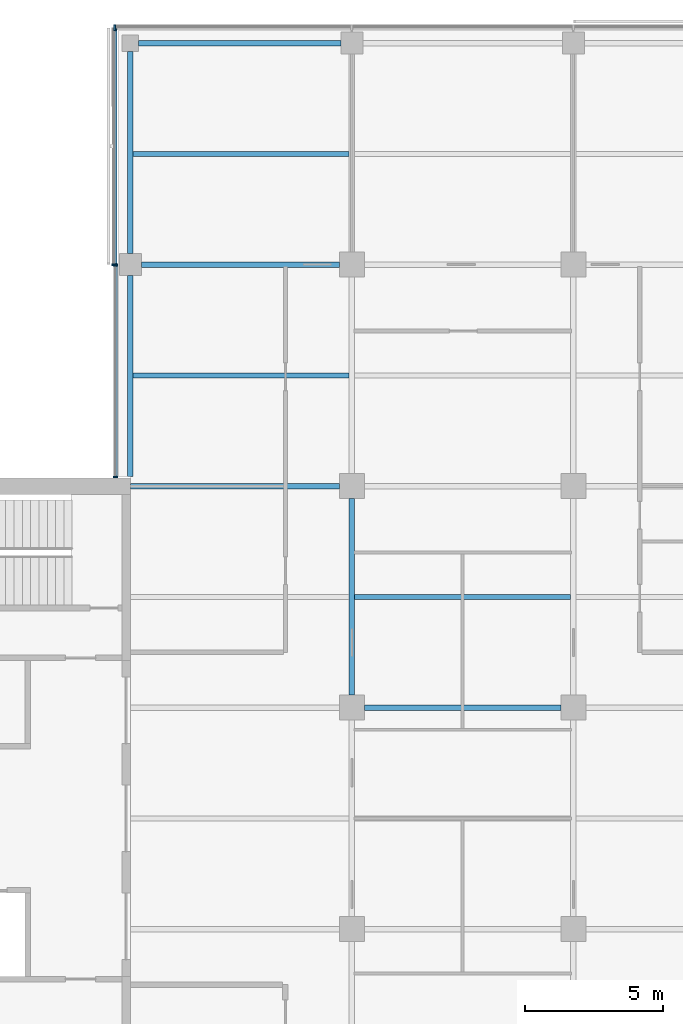
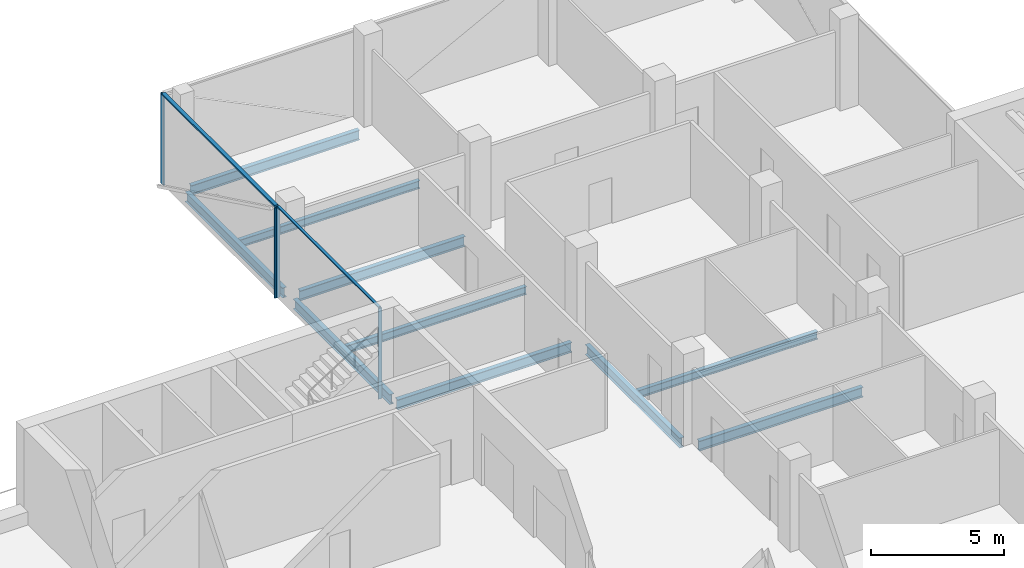
# One storey, part 7 of 18: 10 beams, 6 members, 3 elements without a shape of their own.
"""IFC4 building model written with IfcOpenShell, lengths in metres."""

from ifc_helpers import new_model, si_unit, direction, frame, origin, origin_2d, place, context, subcontext, project, spatial, rectangle, i_section, extrude, material, material_profile, profile_set, type_object, element, aggregate, save


model = new_model("IFC4")

# Units and contexts
model_context = context("Model", 3, precision=1e-05, world=origin(), true_north=direction((0.0, 1.0)))
body_context = subcontext(model_context, "Body", "Model", "MODEL_VIEW")
ifc_project = project(units=[si_unit("LENGTHUNIT", "METRE"), si_unit("AREAUNIT", "SQUARE_METRE"), si_unit("VOLUMEUNIT", "CUBIC_METRE"), si_unit("PLANEANGLEUNIT", "RADIAN"), si_unit("MASSUNIT", "GRAM", prefix="KILO")], contexts=[model_context])

# Site, building, storey
site_placement = place(None, origin())
site = spatial("IfcSite", under=ifc_project, at=site_placement, CompositionType="ELEMENT")
building_placement = place(site_placement, origin())
building = spatial("IfcBuilding", under=site, at=building_placement, Name="Crosswind Convention Tower", CompositionType="ELEMENT")
storey_placement = place(building_placement, frame((0.0, 0.0, 178.89990234375)))
storey = spatial("IfcBuildingStorey", under=building, at=storey_placement, Name="L37", CompositionType="ELEMENT", Elevation=178.89990234375)

# Beams
ifc_material_1 = material(Name="Steel S355", Category="steel")
ifc_material_profile_1 = material_profile(ifc_material_1, i_section(OverallWidth=0.18994140625, OverallDepth=0.45361328125, WebThickness=0.008544921875, FlangeThickness=0.0126953125, FilletRadius=0.01025390625, at=origin_2d()), Name="UB 457x191x67")
ifc_profile_set_1 = profile_set([ifc_material_profile_1], Name="Steel S355")
beam_type_1 = type_object("IfcBeamType", Name="Edge beam UB 457x191x67", PredefinedType="SPANDREL", material=ifc_profile_set_1)
beam_1_placement = place(storey_placement, frame((113.0, 112.35009765625, -0.526611328125), z_axis=(0.0, 1.0, 0.0), x_axis=(-1.0, 0.0, 0.0)))
element("IfcBeam", 1, at=beam_1_placement, inside=storey, type_object=beam_type_1, Name="B16 L37 edge beam 8", PredefinedType="SPANDREL", context=body_context, shape_type="SweptSolid", body=[
    extrude(i_section(OverallWidth=0.18994140625, OverallDepth=0.45361328125, WebThickness=0.008544921875, FlangeThickness=0.0126953125, FilletRadius=0.01025390625, at=origin_2d()), origin(), (0.0, 0.0, 1.0), 7.25),
])
for number, where, z_axis, x_axis, name in (
    (2, (113.0, 120.39990234375, -0.526611328125), (0.0, 1.0, 0.0), (-1.0, 0.0, 0.0), "B16 L37 edge beam 9"),
    (3, (113.300048828125, 128.0, -0.526611328125), (1.0, 0.0, 0.0), (0.0, 1.0, 0.0), "B16 L37 edge beam 11"),
):
    element("IfcBeam", number, at=place(storey_placement, frame(where, z_axis=z_axis, x_axis=x_axis)), inside=storey, type_object=beam_type_1, Name=name, PredefinedType="SPANDREL", context=body_context, shape_type="SweptSolid", body=[
        extrude(i_section(OverallWidth=0.18994140625, OverallDepth=0.45361328125, WebThickness=0.008544921875, FlangeThickness=0.0126953125, FilletRadius=0.01025390625, at=origin_2d()), origin(), (0.0, 0.0, 1.0), 7.300048828125),
    ])
ifc_material_profile_2 = material_profile(ifc_material_1, i_section(OverallWidth=0.1904296875, OverallDepth=0.457275390625, WebThickness=0.009033203125, FlangeThickness=0.014404296875, FilletRadius=0.01025390625, at=origin_2d()), Name="UB 457x191x75")
ifc_profile_set_2 = profile_set([ifc_material_profile_2], Name="Steel S355")
beam_type_2 = type_object("IfcBeamType", Name="Girder UB 457x191x75", PredefinedType="BEAM", material=ifc_profile_set_2)
beam_2_placement = place(storey_placement, frame((113.39990234375, 120.0, -0.528564453125), z_axis=(1.0, 0.0, 0.0), x_axis=(0.0, 1.0, 0.0)))
element("IfcBeam", 4, at=beam_2_placement, inside=storey, type_object=beam_type_2, Name="B2 L37 girder 2", PredefinedType="BEAM", context=body_context, shape_type="SweptSolid", body=[
    extrude(i_section(OverallWidth=0.1904296875, OverallDepth=0.457275390625, WebThickness=0.009033203125, FlangeThickness=0.014404296875, FilletRadius=0.01025390625, at=origin_2d()), origin(), (0.0, 0.0, 1.0), 7.150146484375),
])
for number, where, z_axis, x_axis, name in (
    (5, (121.0, 104.449951171875, -0.528564453125), (0.0, 1.0, 0.0), (-1.0, 0.0, 0.0), "B2 L37 girder 7"),
    (6, (121.449951171875, 104.0, -0.528564453125), (1.0, 0.0, 0.0), (0.0, 1.0, 0.0), "B2 L37 girder 13"),
):
    element("IfcBeam", number, at=place(storey_placement, frame(where, z_axis=z_axis, x_axis=x_axis)), inside=storey, type_object=beam_type_2, Name=name, PredefinedType="BEAM", context=body_context, shape_type="SweptSolid", body=[
        extrude(i_section(OverallWidth=0.1904296875, OverallDepth=0.457275390625, WebThickness=0.009033203125, FlangeThickness=0.014404296875, FilletRadius=0.01025390625, at=origin_2d()), origin(), (0.0, 0.0, 1.0), 7.10009765625),
    ])
ifc_material_profile_3 = material_profile(ifc_material_1, i_section(OverallWidth=0.19140625, OverallDepth=0.460205078125, WebThickness=0.010009765625, FlangeThickness=0.01611328125, FilletRadius=0.01025390625, at=origin_2d()), Name="UB 457x191x82")
ifc_profile_set_3 = profile_set([ifc_material_profile_3], Name="Steel S355")
beam_type_3 = type_object("IfcBeamType", Name="Girder at core wall UB 457x191x82", PredefinedType="BEAM", material=ifc_profile_set_3)
beam_3_placement = place(storey_placement, frame((113.0, 112.0, -0.530029296875), z_axis=(1.0, 0.0, 0.0), x_axis=(0.0, 1.0, 0.0)))
element("IfcBeam", 7, at=beam_3_placement, inside=storey, type_object=beam_type_3, Name="B23 L37 girder at core wall 6", PredefinedType="BEAM", context=body_context, shape_type="SweptSolid", body=[
    extrude(i_section(OverallWidth=0.19140625, OverallDepth=0.460205078125, WebThickness=0.010009765625, FlangeThickness=0.01611328125, FilletRadius=0.01025390625, at=origin_2d()), origin(), (0.0, 0.0, 1.0), 7.550048828125),
])

# Curtain wall, members
ifc_material_2 = material(Name="Aluminium unitised curtain wall", Category="aluminium")
curtain_wall_type_1 = type_object("IfcCurtainWallType", Name="CORE END SLOT WALL 160", PredefinedType="USERDEFINED", material=ifc_material_2)
curtain_wall_1_placement = place(storey_placement, origin())
curtain_wall_1 = element("IfcCurtainWall", 8, at=curtain_wall_1_placement, inside=storey, type_object=curtain_wall_type_1, Name="CW6 L37 N-W.1-2 slot", ObjectType="UNITISED", PredefinedType="USERDEFINED")
ifc_material_3 = material(Name="Aluminium mullion", Category="aluminium")
ifc_material_profile_4 = material_profile(ifc_material_3, rectangle(XDim=0.159912109375, YDim=0.050048828125, at=origin_2d()), Name="AL 160X50")
ifc_profile_set_4 = profile_set([ifc_material_profile_4], Name="Aluminium mullion")
member_type_1 = type_object("IfcMemberType", Name="MULLION 50X160", PredefinedType="MULLION", material=ifc_profile_set_4)
member_1_placement = place(storey_placement, frame((112.469970703125, 119.97509765625, -0.2998046875), z_axis=(0.0, 0.0, 1.0), x_axis=(-1.0, 0.0, 0.0)))
member_1 = element("IfcMember", 9, at=member_1_placement, type_object=member_type_1, Name="CW6 mullion 1", PredefinedType="MULLION", context=body_context, shape_type="SweptSolid", body=[
    extrude(rectangle(XDim=0.159912109375, YDim=0.050048828125, at=origin_2d()), origin(), (0.0, 0.0, 1.0), 4.14990234375),
])
member_2_placement = place(storey_placement, frame((112.469970703125, 112.324951171875, -0.2998046875), z_axis=(0.0, 0.0, 1.0), x_axis=(-1.0, 0.0, 0.0)))
member_2 = element("IfcMember", 10, at=member_2_placement, type_object=member_type_1, Name="CW6 mullion 2", PredefinedType="MULLION", context=body_context, shape_type="SweptSolid", body=[
    extrude(rectangle(XDim=0.159912109375, YDim=0.050048828125, at=origin_2d()), origin(), (0.0, 0.0, 1.0), 4.14990234375),
])

# Curtain wall, member
curtain_wall_type_2 = type_object("IfcCurtainWallType", Name="OFFICE UNITISED WALL 220", PredefinedType="USERDEFINED", material=ifc_material_2)
curtain_wall_2_placement = place(storey_placement, origin())
curtain_wall_2 = element("IfcCurtainWall", 11, at=curtain_wall_2_placement, inside=storey, type_object=curtain_wall_type_2, Name="CW3 L37 N-TIP 1", ObjectType="UNITISED", PredefinedType="USERDEFINED")
ifc_material_profile_5 = material_profile(ifc_material_3, rectangle(XDim=0.219970703125, YDim=0.070068359375, at=origin_2d()), Name="AL 220X70")
ifc_profile_set_5 = profile_set([ifc_material_profile_5], Name="Aluminium mullion")
member_type_2 = type_object("IfcMemberType", Name="MULLION 70X220", PredefinedType="MULLION", material=ifc_profile_set_5)
member_3_placement = place(storey_placement, frame((112.43994140625, 128.56005859375, -0.2998046875), z_axis=(0.0, 0.0, 1.0), x_axis=(0.0, 1.0, 0.0)))
member_3 = element("IfcMember", 12, at=member_3_placement, type_object=member_type_2, Name="CW3 mullion 4", PredefinedType="MULLION", context=body_context, shape_type="SweptSolid", body=[
    extrude(rectangle(XDim=0.219970703125, YDim=0.070068359375, at=origin_2d()), origin(), (0.0, 0.0, 1.0), 4.1298828125),
])
aggregate(curtain_wall_2, [member_3])

curtain_wall_3_placement = place(storey_placement, origin())
curtain_wall_3 = element("IfcCurtainWall", 13, at=curtain_wall_3_placement, inside=storey, type_object=curtain_wall_type_2, Name="CW3 L37 N-W 1", ObjectType="UNITISED", PredefinedType="USERDEFINED")
member_4_placement = place(storey_placement, frame((112.43994140625, 120.0, -0.2998046875), z_axis=(0.0, 0.0, 1.0), x_axis=(-1.0, 0.0, 0.0)))
member_4 = element("IfcMember", 14, at=member_4_placement, type_object=member_type_2, Name="CW3 mullion 2", PredefinedType="MULLION", context=body_context, shape_type="SweptSolid", body=[
    extrude(rectangle(XDim=0.219970703125, YDim=0.070068359375, at=origin_2d()), origin(), (0.0, 0.0, 1.0), 4.1298828125),
])

# Beams
ifc_material_profile_6 = material_profile(ifc_material_1, i_section(OverallWidth=0.172119140625, OverallDepth=0.358642578125, WebThickness=0.008056640625, FlangeThickness=0.012939453125, FilletRadius=0.01025390625, at=origin_2d()), Name="UB 356x171x57")
ifc_profile_set_6 = profile_set([ifc_material_profile_6], Name="Steel S355")
beam_type_4 = type_object("IfcBeamType", Name="Secondary beam UB 356x171x57", PredefinedType="JOIST", material=ifc_profile_set_6)
for number, where, z_axis, x_axis, name in (
    (15, (113.094970703125, 116.0, -0.479248046875), (1.0, 0.0, 0.0), (0.0, 1.0, 0.0), "B9 L37 secondary beam 9"),
    (16, (113.094970703125, 124.0, -0.479248046875), (1.0, 0.0, 0.0), (0.0, 1.0, 0.0), "B9 L37 secondary beam 10"),
):
    element("IfcBeam", number, at=place(storey_placement, frame(where, z_axis=z_axis, x_axis=x_axis)), inside=storey, type_object=beam_type_4, Name=name, PredefinedType="JOIST", context=body_context, shape_type="SweptSolid", body=[
        extrude(i_section(OverallWidth=0.172119140625, OverallDepth=0.358642578125, WebThickness=0.008056640625, FlangeThickness=0.012939453125, FilletRadius=0.01025390625, at=origin_2d()), origin(), (0.0, 0.0, 1.0), 7.809814453125),
    ])
beam_4_placement = place(storey_placement, frame((121.09521484375, 108.0, -0.479248046875), z_axis=(1.0, 0.0, 0.0), x_axis=(0.0, 1.0, 0.0)))
element("IfcBeam", 17, at=beam_4_placement, inside=storey, type_object=beam_type_4, Name="B9 L37 secondary beam 15", PredefinedType="JOIST", context=body_context, shape_type="SweptSolid", body=[
    extrude(i_section(OverallWidth=0.172119140625, OverallDepth=0.358642578125, WebThickness=0.008056640625, FlangeThickness=0.012939453125, FilletRadius=0.01025390625, at=origin_2d()), origin(), (0.0, 0.0, 1.0), 7.8095703125),
])

# Member
ifc_material_4 = material(Name="Aluminium transom", Category="aluminium")
ifc_material_profile_7 = material_profile(ifc_material_4, rectangle(XDim=0.1201171875, YDim=0.050048828125, at=origin_2d()), Name="AL 120X50")
ifc_profile_set_7 = profile_set([ifc_material_profile_7], Name="Aluminium transom")
member_type_3 = type_object("IfcMemberType", Name="TRANSOM 50X120", PredefinedType="USERDEFINED", material=ifc_profile_set_7)
member_5_placement = place(storey_placement, frame((112.469970703125, 119.949951171875, 3.875), z_axis=(0.0, -1.0, 0.0), x_axis=(1.0, 0.0, 0.0)))
member_5 = element("IfcMember", 18, at=member_5_placement, type_object=member_type_3, Name="CW6 transom", ObjectType="TRANSOM", PredefinedType="USERDEFINED", context=body_context, shape_type="SweptSolid", body=[
    extrude(rectangle(XDim=0.1201171875, YDim=0.050048828125, at=origin_2d()), origin(), (0.0, 0.0, 1.0), 7.599853515625),
])

aggregate(curtain_wall_1, [member_1, member_2, member_5])

ifc_material_profile_8 = material_profile(ifc_material_4, rectangle(XDim=0.159912109375, YDim=0.070068359375, at=origin_2d()), Name="AL 160X70")
ifc_profile_set_8 = profile_set([ifc_material_profile_8], Name="Aluminium transom")
member_type_4 = type_object("IfcMemberType", Name="TRANSOM 70X160", PredefinedType="USERDEFINED", material=ifc_profile_set_8)
member_6_placement = place(storey_placement, frame((112.43994140625, 128.52490234375, 3.864990234375), z_axis=(0.0, -1.0, 0.0), x_axis=(1.0, 0.0, 0.0)))
member_6 = element("IfcMember", 19, at=member_6_placement, type_object=member_type_4, Name="CW3 transom", ObjectType="TRANSOM", PredefinedType="USERDEFINED", context=body_context, shape_type="SweptSolid", body=[
    extrude(rectangle(XDim=0.159912109375, YDim=0.070068359375, at=origin_2d()), origin(), (0.0, 0.0, 1.0), 8.489990234375),
])

aggregate(curtain_wall_3, [member_4, member_6])

save(model, "model.ifc")
